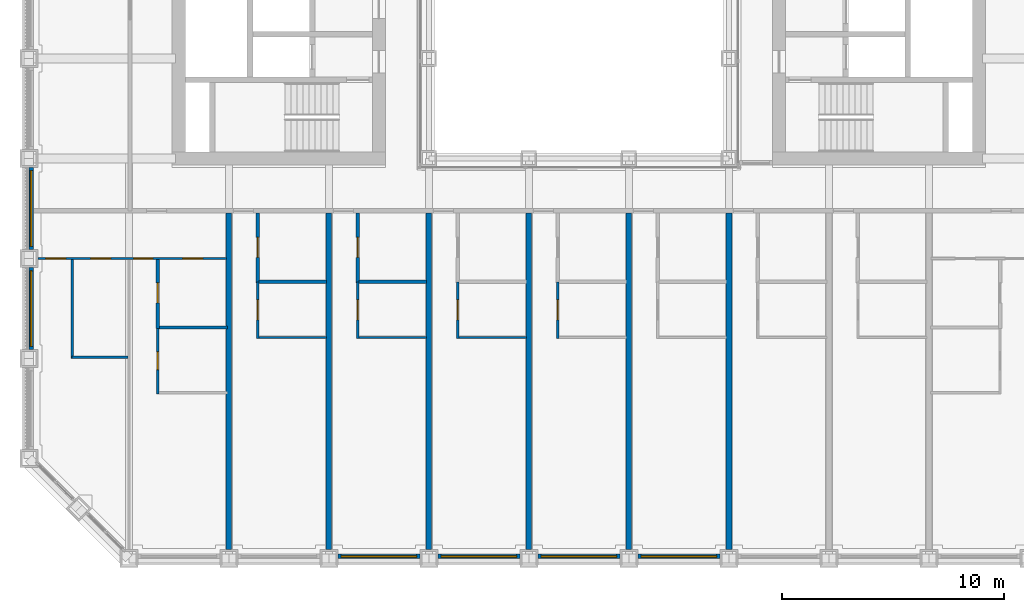
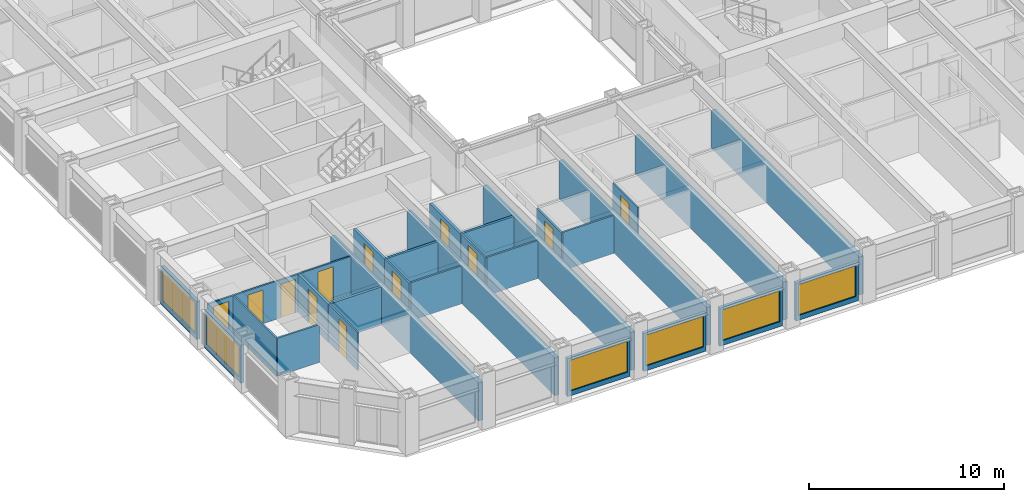
# One storey, part 9 of 21: 29 walls, 12 doors, 6 windows, 18 openings.
"""IFC4 building model written with IfcOpenShell, lengths in metres."""

from ifc_helpers import new_model, si_unit, direction, frame, frame_2d, origin, place, context, subcontext, project, spatial, rectangle, extrude, material, layer, layer_set, type_object, element, fill, save


model = new_model("IFC4")

# Units and contexts
model_context = context("Model", 3, precision=1e-05, world=origin(), true_north=direction((0.0, 1.0)))
body_context = subcontext(model_context, "Body", "Model", "MODEL_VIEW")
ifc_project = project(units=[si_unit("LENGTHUNIT", "METRE"), si_unit("AREAUNIT", "SQUARE_METRE"), si_unit("VOLUMEUNIT", "CUBIC_METRE"), si_unit("PLANEANGLEUNIT", "RADIAN"), si_unit("MASSUNIT", "GRAM", prefix="KILO")], contexts=[model_context])

# Site, building, storey
site_placement = place(None, origin())
site = spatial("IfcSite", under=ifc_project, at=site_placement, CompositionType="ELEMENT")
building_placement = place(site_placement, origin())
building = spatial("IfcBuilding", under=site, at=building_placement, Name="Msasa Ring Tower", CompositionType="ELEMENT")
storey_placement = place(building_placement, frame((0.0, 0.0, 30.0)))
storey = spatial("IfcBuildingStorey", under=building, at=storey_placement, Name="L06", CompositionType="ELEMENT", Elevation=30.0)

# Wall, opening, window
ifc_material_1 = material(Name="Terracotta rainscreen on blockwork", Category="masonry")
ifc_layer_1 = layer(ifc_material_1, 0.199951171875)
ifc_layer_set_1 = layer_set([ifc_layer_1], Name="FW1 TERRACOTTA-LINED INFILL BAY WALL 200")
wall_type_1 = type_object("IfcWallType", Name="FW1 TERRACOTTA-LINED INFILL BAY WALL 200", PredefinedType="SOLIDWALL", material=ifc_layer_set_1)
wall_1_placement = place(storey_placement, frame((-10.844970703125, -24.64990234375, 0.0), z_axis=(0.0, 0.0, 1.0), x_axis=(1.0, 0.0, 0.0)))
wall_1 = element("IfcWall", 1, at=wall_1_placement, inside=storey, type_object=wall_type_1, Name="Infill bay wall S L06 02", PredefinedType="SOLIDWALL", context=body_context, shape_type="SweptSolid", body=[
    extrude(rectangle(XDim=3.68994140625, YDim=0.199951171875, at=frame_2d((1.844970703125, 0.0))), origin(), (0.0, 0.0, 1.0), 2.37890625),
])
opening_1_placement = place(wall_1_placement, frame((0.14501953125, 0.0, 0.300048828125)))
opening_1 = element("IfcOpeningElement", 2, at=opening_1_placement, cuts=wall_1, Name="Opening WN1", PredefinedType="OPENING", context=body_context, shape_type="SweptSolid", body=[
    extrude(rectangle(XDim=3.39990234375, YDim=1.928955078125, at=frame_2d((1.699951171875, 0.96435546875))), frame((0.0, 0.10986328125, 0.0), z_axis=(0.0, -1.0, 0.0), x_axis=(1.0, 0.0, 0.0)), (0.0, 0.0, 1.0), 0.219970703125),
])
ifc_material_2 = material(Name="Aluminium frame with clear glass", Category="aluminium")
window_type = type_object("IfcWindowType", Name="WN1 RESIDENCE WINDOW 3400x1929", PartitioningType="SINGLE_PANEL", PredefinedType="WINDOW", material=ifc_material_2)
window_1_placement = place(opening_1_placement, origin())
window_1 = element("IfcWindow", 3, at=window_1_placement, inside=storey, type_object=window_type, Name="Window S L06 02", OverallHeight=1.928955078125, OverallWidth=3.39990234375, PartitioningType="SINGLE_PANEL", PredefinedType="WINDOW", context=body_context, shape_type="SweptSolid", body=[
    extrude(rectangle(XDim=3.39990234375, YDim=1.928955078125, at=frame_2d((1.699951171875, 0.96435546875))), frame((0.0, 0.030029296875, 0.0), z_axis=(0.0, -1.0, 0.0), x_axis=(1.0, 0.0, 0.0)), (0.0, 0.0, 1.0), 0.06005859375),
])
fill(opening_1, window_1)

wall_2_placement = place(storey_placement, frame((-6.344970703125, -24.64990234375, 0.0), z_axis=(0.0, 0.0, 1.0), x_axis=(1.0, 0.0, 0.0)))
wall_2 = element("IfcWall", 4, at=wall_2_placement, inside=storey, type_object=wall_type_1, Name="Infill bay wall S L06 03", PredefinedType="SOLIDWALL", context=body_context, shape_type="SweptSolid", body=[
    extrude(rectangle(XDim=3.68994140625, YDim=0.199951171875, at=frame_2d((1.844970703125, 0.0))), origin(), (0.0, 0.0, 1.0), 2.37890625),
])
opening_2_placement = place(wall_2_placement, frame((0.14501953125, 0.0, 0.300048828125)))
opening_2 = element("IfcOpeningElement", 5, at=opening_2_placement, cuts=wall_2, Name="Opening WN1", PredefinedType="OPENING", context=body_context, shape_type="SweptSolid", body=[
    extrude(rectangle(XDim=3.39990234375, YDim=1.928955078125, at=frame_2d((1.699951171875, 0.96435546875))), frame((0.0, 0.10986328125, 0.0), z_axis=(0.0, -1.0, 0.0), x_axis=(1.0, 0.0, 0.0)), (0.0, 0.0, 1.0), 0.219970703125),
])
window_2_placement = place(opening_2_placement, origin())
window_2 = element("IfcWindow", 6, at=window_2_placement, inside=storey, type_object=window_type, Name="Window S L06 03", OverallHeight=1.928955078125, OverallWidth=3.39990234375, PartitioningType="SINGLE_PANEL", PredefinedType="WINDOW", context=body_context, shape_type="SweptSolid", body=[
    extrude(rectangle(XDim=3.39990234375, YDim=1.928955078125, at=frame_2d((1.699951171875, 0.96435546875))), frame((0.0, 0.030029296875, 0.0), z_axis=(0.0, -1.0, 0.0), x_axis=(1.0, 0.0, 0.0)), (0.0, 0.0, 1.0), 0.06005859375),
])
fill(opening_2, window_2)

wall_3_placement = place(storey_placement, frame((-1.844970703125, -24.64990234375, 0.0), z_axis=(0.0, 0.0, 1.0), x_axis=(1.0, 0.0, 0.0)))
wall_3 = element("IfcWall", 7, at=wall_3_placement, inside=storey, type_object=wall_type_1, Name="Infill bay wall S L06 04", PredefinedType="SOLIDWALL", context=body_context, shape_type="SweptSolid", body=[
    extrude(rectangle(XDim=3.68994140625, YDim=0.199951171875, at=frame_2d((1.844970703125, 0.0))), origin(), (0.0, 0.0, 1.0), 2.37890625),
])
opening_3_placement = place(wall_3_placement, frame((0.14501953125, 0.0, 0.300048828125)))
opening_3 = element("IfcOpeningElement", 8, at=opening_3_placement, cuts=wall_3, Name="Opening WN1", PredefinedType="OPENING", context=body_context, shape_type="SweptSolid", body=[
    extrude(rectangle(XDim=3.39990234375, YDim=1.928955078125, at=frame_2d((1.699951171875, 0.96435546875))), frame((0.0, 0.10986328125, 0.0), z_axis=(0.0, -1.0, 0.0), x_axis=(1.0, 0.0, 0.0)), (0.0, 0.0, 1.0), 0.219970703125),
])
window_3_placement = place(opening_3_placement, origin())
window_3 = element("IfcWindow", 9, at=window_3_placement, inside=storey, type_object=window_type, Name="Window S L06 04", OverallHeight=1.928955078125, OverallWidth=3.39990234375, PartitioningType="SINGLE_PANEL", PredefinedType="WINDOW", context=body_context, shape_type="SweptSolid", body=[
    extrude(rectangle(XDim=3.39990234375, YDim=1.928955078125, at=frame_2d((1.699951171875, 0.96435546875))), frame((0.0, 0.030029296875, 0.0), z_axis=(0.0, -1.0, 0.0), x_axis=(1.0, 0.0, 0.0)), (0.0, 0.0, 1.0), 0.06005859375),
])
fill(opening_3, window_3)

wall_4_placement = place(storey_placement, frame((2.655029296875, -24.64990234375, 0.0), z_axis=(0.0, 0.0, 1.0), x_axis=(1.0, 0.0, 0.0)))
wall_4 = element("IfcWall", 10, at=wall_4_placement, inside=storey, type_object=wall_type_1, Name="Infill bay wall S L06 05", PredefinedType="SOLIDWALL", context=body_context, shape_type="SweptSolid", body=[
    extrude(rectangle(XDim=3.68994140625, YDim=0.199951171875, at=frame_2d((1.844970703125, 0.0))), origin(), (0.0, 0.0, 1.0), 2.37890625),
])
opening_4_placement = place(wall_4_placement, frame((0.14501953125, 0.0, 0.300048828125)))
opening_4 = element("IfcOpeningElement", 11, at=opening_4_placement, cuts=wall_4, Name="Opening WN1", PredefinedType="OPENING", context=body_context, shape_type="SweptSolid", body=[
    extrude(rectangle(XDim=3.39990234375, YDim=1.928955078125, at=frame_2d((1.699951171875, 0.96435546875))), frame((0.0, 0.10986328125, 0.0), z_axis=(0.0, -1.0, 0.0), x_axis=(1.0, 0.0, 0.0)), (0.0, 0.0, 1.0), 0.219970703125),
])
window_4_placement = place(opening_4_placement, origin())
window_4 = element("IfcWindow", 12, at=window_4_placement, inside=storey, type_object=window_type, Name="Window S L06 05", OverallHeight=1.928955078125, OverallWidth=3.39990234375, PartitioningType="SINGLE_PANEL", PredefinedType="WINDOW", context=body_context, shape_type="SweptSolid", body=[
    extrude(rectangle(XDim=3.39990234375, YDim=1.928955078125, at=frame_2d((1.699951171875, 0.96435546875))), frame((0.0, 0.030029296875, 0.0), z_axis=(0.0, -1.0, 0.0), x_axis=(1.0, 0.0, 0.0)), (0.0, 0.0, 1.0), 0.06005859375),
])
fill(opening_4, window_4)

wall_5_placement = place(storey_placement, frame((-24.64990234375, -15.344970703125, 0.0), z_axis=(0.0, 0.0, 1.0), x_axis=(0.0, 1.0, 0.0)))
wall_5 = element("IfcWall", 13, at=wall_5_placement, inside=storey, type_object=wall_type_1, Name="Infill bay wall W L06 34", PredefinedType="SOLIDWALL", context=body_context, shape_type="SweptSolid", body=[
    extrude(rectangle(XDim=3.68994140625, YDim=0.199951171875, at=frame_2d((1.844970703125, 0.0))), origin(), (0.0, 0.0, 1.0), 2.37890625),
])
opening_5_placement = place(wall_5_placement, frame((0.14501953125, 0.0, 0.300048828125)))
opening_5 = element("IfcOpeningElement", 14, at=opening_5_placement, cuts=wall_5, Name="Opening WN1", PredefinedType="OPENING", context=body_context, shape_type="SweptSolid", body=[
    extrude(rectangle(XDim=3.39990234375, YDim=1.928955078125, at=frame_2d((1.699951171875, 0.96435546875))), frame((0.0, 0.10986328125, 0.0), z_axis=(0.0, -1.0, 0.0), x_axis=(1.0, 0.0, 0.0)), (0.0, 0.0, 1.0), 0.219970703125),
])
window_5_placement = place(opening_5_placement, origin())
window_5 = element("IfcWindow", 15, at=window_5_placement, inside=storey, type_object=window_type, Name="Window W L06 34", OverallHeight=1.928955078125, OverallWidth=3.39990234375, PartitioningType="SINGLE_PANEL", PredefinedType="WINDOW", context=body_context, shape_type="SweptSolid", body=[
    extrude(rectangle(XDim=3.39990234375, YDim=1.928955078125, at=frame_2d((1.699951171875, 0.96435546875))), frame((0.0, 0.030029296875, 0.0), z_axis=(0.0, -1.0, 0.0), x_axis=(1.0, 0.0, 0.0)), (0.0, 0.0, 1.0), 0.06005859375),
])
fill(opening_5, window_5)

wall_6_placement = place(storey_placement, frame((-24.64990234375, -10.844970703125, 0.0), z_axis=(0.0, 0.0, 1.0), x_axis=(0.0, 1.0, 0.0)))
wall_6 = element("IfcWall", 16, at=wall_6_placement, inside=storey, type_object=wall_type_1, Name="Infill bay wall W L06 35", PredefinedType="SOLIDWALL", context=body_context, shape_type="SweptSolid", body=[
    extrude(rectangle(XDim=3.68994140625, YDim=0.199951171875, at=frame_2d((1.844970703125, 0.0))), origin(), (0.0, 0.0, 1.0), 2.37890625),
])
opening_6_placement = place(wall_6_placement, frame((0.14501953125, 0.0, 0.300048828125)))
opening_6 = element("IfcOpeningElement", 17, at=opening_6_placement, cuts=wall_6, Name="Opening WN1", PredefinedType="OPENING", context=body_context, shape_type="SweptSolid", body=[
    extrude(rectangle(XDim=3.39990234375, YDim=1.928955078125, at=frame_2d((1.699951171875, 0.96435546875))), frame((0.0, 0.10986328125, 0.0), z_axis=(0.0, -1.0, 0.0), x_axis=(1.0, 0.0, 0.0)), (0.0, 0.0, 1.0), 0.219970703125),
])
window_6_placement = place(opening_6_placement, origin())
window_6 = element("IfcWindow", 18, at=window_6_placement, inside=storey, type_object=window_type, Name="Window W L06 35", OverallHeight=1.928955078125, OverallWidth=3.39990234375, PartitioningType="SINGLE_PANEL", PredefinedType="WINDOW", context=body_context, shape_type="SweptSolid", body=[
    extrude(rectangle(XDim=3.39990234375, YDim=1.928955078125, at=frame_2d((1.699951171875, 0.96435546875))), frame((0.0, 0.030029296875, 0.0), z_axis=(0.0, -1.0, 0.0), x_axis=(1.0, 0.0, 0.0)), (0.0, 0.0, 1.0), 0.06005859375),
])
fill(opening_6, window_6)

# Wall, openings, doors
ifc_material_3 = material(Name="Gypsum board on steel studs", Category="steel")
ifc_layer_2 = layer(ifc_material_3, 0.10009765625)
ifc_layer_set_2 = layer_set([ifc_layer_2], Name="PT2 STUD PARTITION 100")
wall_type_2 = type_object("IfcWallType", Name="PT2 STUD PARTITION 100", PredefinedType="PARTITIONING", material=ifc_layer_set_2)
wall_7_placement = place(storey_placement, frame((-24.35009765625, -11.25, 0.0), z_axis=(0.0, 0.0, 1.0), x_axis=(1.0, 0.0, 0.0)))
wall_7 = element("IfcWall", 19, at=wall_7_placement, inside=storey, type_object=wall_type_2, Name="Partition L06-US00HY", PredefinedType="PARTITIONING", context=body_context, shape_type="SweptSolid", body=[
    extrude(rectangle(XDim=8.5, YDim=0.10009765625, at=frame_2d((4.25, 0.0))), origin(), (0.0, 0.0, 1.0), 2.373291015625),
])
opening_7_placement = place(wall_7_placement, frame((2.375, 0.0, 0.0)))
opening_7 = element("IfcOpeningElement", 20, at=opening_7_placement, cuts=wall_7, Name="Opening RA-068", PredefinedType="OPENING", context=body_context, shape_type="SweptSolid", body=[
    extrude(rectangle(XDim=0.89990234375, YDim=2.10009765625, at=frame_2d((0.449951171875, 1.050048828125))), frame((0.0, 0.06005859375, 0.0), z_axis=(0.0, -1.0, 0.0), x_axis=(1.0, 0.0, 0.0)), (0.0, 0.0, 1.0), 0.1201171875),
])
opening_8_placement = place(wall_7_placement, frame((0.35009765625, 0.0, 0.0)))
opening_8 = element("IfcOpeningElement", 21, at=opening_8_placement, cuts=wall_7, Name="Opening RA-067", PredefinedType="OPENING", context=body_context, shape_type="SweptSolid", body=[
    extrude(rectangle(XDim=0.89990234375, YDim=2.10009765625, at=frame_2d((0.449951171875, 1.050048828125))), frame((0.0, 0.06005859375, 0.0), z_axis=(0.0, -1.0, 0.0), x_axis=(1.0, 0.0, 0.0)), (0.0, 0.0, 1.0), 0.1201171875),
])
opening_9_placement = place(wall_7_placement, frame((4.324951171875, 0.0, 0.0)))
opening_9 = element("IfcOpeningElement", 22, at=opening_9_placement, cuts=wall_7, Name="Opening RA-069", PredefinedType="OPENING", context=body_context, shape_type="SweptSolid", body=[
    extrude(rectangle(XDim=0.85009765625, YDim=2.10009765625, at=frame_2d((0.425048828125, 1.050048828125))), frame((0.0, 0.06005859375, 0.0), z_axis=(0.0, -1.0, 0.0), x_axis=(1.0, 0.0, 0.0)), (0.0, 0.0, 1.0), 0.1201171875),
])
opening_10_placement = place(wall_7_placement, frame((6.52001953125, 0.0, 0.0)))
opening_10 = element("IfcOpeningElement", 23, at=opening_10_placement, cuts=wall_7, Name="Opening RA-070", PredefinedType="OPENING", context=body_context, shape_type="SweptSolid", body=[
    extrude(rectangle(XDim=0.89990234375, YDim=2.10009765625, at=frame_2d((0.449951171875, 1.050048828125))), frame((0.0, 0.06005859375, 0.0), z_axis=(0.0, -1.0, 0.0), x_axis=(1.0, 0.0, 0.0)), (0.0, 0.0, 1.0), 0.1201171875),
])
ifc_material_4 = material(Name="Timber door leaf in a steel frame", Category="steel")
door_type_1 = type_object("IfcDoorType", Name="D14 BEDROOM DOOR 850x2100", OperationType="SINGLE_SWING_LEFT", PredefinedType="DOOR", material=ifc_material_4)
door_1_placement = place(opening_9_placement, origin())
door_1 = element("IfcDoor", 24, at=door_1_placement, inside=storey, type_object=door_type_1, Name="Door L06-US00R1", OperationType="SINGLE_SWING_RIGHT", OverallHeight=2.10009765625, OverallWidth=0.85009765625, PredefinedType="DOOR", context=body_context, shape_type="SweptSolid", body=[
    extrude(rectangle(XDim=0.85009765625, YDim=2.10009765625, at=frame_2d((0.425048828125, 1.050048828125))), frame((0.0, 0.02490234375, 0.0), z_axis=(0.0, -1.0, 0.0), x_axis=(1.0, 0.0, 0.0)), (0.0, 0.0, 1.0), 0.050048828125),
])
fill(opening_9, door_1)
ifc_material_5 = material(Name="Timber door leaf in a steel frame", Category="steel")
door_type_2 = type_object("IfcDoorType", Name="D22 INTERNAL HALL DOOR 900x2100", OperationType="SINGLE_SWING_LEFT", PredefinedType="DOOR", material=ifc_material_5)
door_2_placement = place(opening_7_placement, origin())
door_2 = element("IfcDoor", 25, at=door_2_placement, inside=storey, type_object=door_type_2, Name="Door L06-US00K", OperationType="SINGLE_SWING_LEFT", OverallHeight=2.10009765625, OverallWidth=0.89990234375, PredefinedType="DOOR", context=body_context, shape_type="SweptSolid", body=[
    extrude(rectangle(XDim=0.89990234375, YDim=2.10009765625, at=frame_2d((0.449951171875, 1.050048828125))), frame((0.0, 0.02490234375, 0.0), z_axis=(0.0, -1.0, 0.0), x_axis=(1.0, 0.0, 0.0)), (0.0, 0.0, 1.0), 0.050048828125),
])
fill(opening_7, door_2)
door_3_placement = place(opening_8_placement, origin())
door_3 = element("IfcDoor", 26, at=door_3_placement, inside=storey, type_object=door_type_2, Name="Door L06-US00L", OperationType="SINGLE_SWING_LEFT", OverallHeight=2.10009765625, OverallWidth=0.89990234375, PredefinedType="DOOR", context=body_context, shape_type="SweptSolid", body=[
    extrude(rectangle(XDim=0.89990234375, YDim=2.10009765625, at=frame_2d((0.449951171875, 1.050048828125))), frame((0.0, 0.02490234375, 0.0), z_axis=(0.0, -1.0, 0.0), x_axis=(1.0, 0.0, 0.0)), (0.0, 0.0, 1.0), 0.050048828125),
])
fill(opening_8, door_3)
ifc_material_6 = material(Name="Timber door leaf in a steel frame", Category="steel")
door_type_3 = type_object("IfcDoorType", Name="D3 BATHROOM DOOR 900x2100", OperationType="SINGLE_SWING_LEFT", PredefinedType="DOOR", material=ifc_material_6)
door_4_placement = place(opening_10_placement, origin())
door_4 = element("IfcDoor", 27, at=door_4_placement, inside=storey, type_object=door_type_3, Name="Door L06-US00BH1", OperationType="SINGLE_SWING_RIGHT", OverallHeight=2.10009765625, OverallWidth=0.89990234375, PredefinedType="DOOR", context=body_context, shape_type="SweptSolid", body=[
    extrude(rectangle(XDim=0.89990234375, YDim=2.10009765625, at=frame_2d((0.449951171875, 1.050048828125))), frame((0.0, 0.02490234375, 0.0), z_axis=(0.0, -1.0, 0.0), x_axis=(1.0, 0.0, 0.0)), (0.0, 0.0, 1.0), 0.050048828125),
])
fill(opening_10, door_4)

# Walls
wall_8_placement = place(storey_placement, frame((-22.800048828125, -15.7421875, 0.0), z_axis=(0.0, 0.0, 1.0), x_axis=(0.0, 1.0, 0.0)))
element("IfcWall", 28, at=wall_8_placement, inside=storey, type_object=wall_type_2, Name="Partition L06-US00KX", PredefinedType="PARTITIONING", context=body_context, shape_type="SweptSolid", body=[
    extrude(rectangle(XDim=4.442138671875, YDim=0.10009765625, at=frame_2d((2.22119140625, 0.0))), origin(), (0.0, 0.0, 1.0), 2.373291015625),
])
wall_9_placement = place(storey_placement, frame((-22.800048828125, -15.692138671875, 0.0), z_axis=(0.0, 0.0, 1.0), x_axis=(1.0, 0.0, 0.0)))
element("IfcWall", 29, at=wall_9_placement, inside=storey, type_object=wall_type_2, Name="Partition L06-US00KY", PredefinedType="PARTITIONING", context=body_context, shape_type="SweptSolid", body=[
    extrude(rectangle(XDim=2.5, YDim=0.10009765625, at=frame_2d((1.25, 0.0))), origin(), (0.0, 0.0, 1.0), 2.373291015625),
])

# Wall, opening, door
wall_10_placement = place(storey_placement, frame((-18.949951171875, -17.3408203125, 0.0), z_axis=(0.0, 0.0, 1.0), x_axis=(0.0, 1.0, 0.0)))
wall_10 = element("IfcWall", 30, at=wall_10_placement, inside=storey, type_object=wall_type_2, Name="Partition L06-US00WX1", PredefinedType="PARTITIONING", context=body_context, shape_type="SweptSolid", body=[
    extrude(rectangle(XDim=2.94091796875, YDim=0.10009765625, at=frame_2d((1.470458984375, 0.0))), origin(), (0.0, 0.0, 1.0), 2.373291015625),
])
opening_11_placement = place(wall_10_placement, frame((1.095458984375, 0.0, 0.0)))
opening_11 = element("IfcOpeningElement", 31, at=opening_11_placement, cuts=wall_10, Name="Opening RA-084", PredefinedType="OPENING", context=body_context, shape_type="SweptSolid", body=[
    extrude(rectangle(XDim=0.800048828125, YDim=2.10009765625, at=frame_2d((0.39990234375, 1.050048828125))), frame((0.0, 0.06005859375, 0.0), z_axis=(0.0, -1.0, 0.0), x_axis=(1.0, 0.0, 0.0)), (0.0, 0.0, 1.0), 0.1201171875),
])
ifc_material_7 = material(Name="Timber door leaf in a steel frame", Category="steel")
door_type_4 = type_object("IfcDoorType", Name="D60 DRESSING ROOM DOOR 800x2100", OperationType="SINGLE_SWING_LEFT", PredefinedType="DOOR", material=ifc_material_7)
door_5_placement = place(opening_11_placement, origin())
door_5 = element("IfcDoor", 32, at=door_5_placement, inside=storey, type_object=door_type_4, Name="Door L06-US00W1", OperationType="SINGLE_SWING_LEFT", OverallHeight=2.10009765625, OverallWidth=0.800048828125, PredefinedType="DOOR", context=body_context, shape_type="SweptSolid", body=[
    extrude(rectangle(XDim=0.800048828125, YDim=2.10009765625, at=frame_2d((0.39990234375, 1.050048828125))), frame((0.0, 0.02490234375, 0.0), z_axis=(0.0, -1.0, 0.0), x_axis=(1.0, 0.0, 0.0)), (0.0, 0.0, 1.0), 0.050048828125),
])
fill(opening_11, door_5)

# Wall
wall_11_placement = place(storey_placement, frame((-14.39990234375, -14.800048828125, 0.0), z_axis=(0.0, 0.0, 1.0), x_axis=(1.0, 0.0, 0.0)))
element("IfcWall", 33, at=wall_11_placement, inside=storey, type_object=wall_type_2, Name="Partition L06-US01KY", PredefinedType="PARTITIONING", context=body_context, shape_type="SweptSolid", body=[
    extrude(rectangle(XDim=3.0498046875, YDim=0.10009765625, at=frame_2d((1.52490234375, 0.0))), origin(), (0.0, 0.0, 1.0), 2.373291015625),
])

# Wall, opening, door
wall_12_placement = place(storey_placement, frame((-14.449951171875, -14.85009765625, 0.0), z_axis=(0.0, 0.0, 1.0), x_axis=(0.0, 1.0, 0.0)))
wall_12 = element("IfcWall", 34, at=wall_12_placement, inside=storey, type_object=wall_type_2, Name="Partition L06-US01KX", PredefinedType="PARTITIONING", context=body_context, shape_type="SweptSolid", body=[
    extrude(rectangle(XDim=2.550048828125, YDim=0.10009765625, at=frame_2d((1.27490234375, 0.0))), origin(), (0.0, 0.0, 1.0), 2.373291015625),
])
opening_12_placement = place(wall_12_placement, frame((0.840087890625, 0.0, 0.0)))
opening_12 = element("IfcOpeningElement", 35, at=opening_12_placement, cuts=wall_12, Name="Opening RA-077", PredefinedType="OPENING", context=body_context, shape_type="SweptSolid", body=[
    extrude(rectangle(XDim=0.89990234375, YDim=2.10009765625, at=frame_2d((0.449951171875, 1.050048828125))), frame((0.0, 0.06005859375, 0.0), z_axis=(0.0, -1.0, 0.0), x_axis=(1.0, 0.0, 0.0)), (0.0, 0.0, 1.0), 0.1201171875),
])
door_6_placement = place(opening_12_placement, origin())
door_6 = element("IfcDoor", 36, at=door_6_placement, inside=storey, type_object=door_type_2, Name="Door L06-US01K", OperationType="SINGLE_SWING_LEFT", OverallHeight=2.10009765625, OverallWidth=0.89990234375, PredefinedType="DOOR", context=body_context, shape_type="SweptSolid", body=[
    extrude(rectangle(XDim=0.89990234375, YDim=2.10009765625, at=frame_2d((0.449951171875, 1.050048828125))), frame((0.0, 0.02490234375, 0.0), z_axis=(0.0, -1.0, 0.0), x_axis=(1.0, 0.0, 0.0)), (0.0, 0.0, 1.0), 0.050048828125),
])
fill(opening_12, door_6)

# Wall
wall_13_placement = place(storey_placement, frame((-9.89990234375, -14.800048828125, 0.0), z_axis=(0.0, 0.0, 1.0), x_axis=(1.0, 0.0, 0.0)))
element("IfcWall", 37, at=wall_13_placement, inside=storey, type_object=wall_type_2, Name="Partition L06-US02KY", PredefinedType="PARTITIONING", context=body_context, shape_type="SweptSolid", body=[
    extrude(rectangle(XDim=3.0498046875, YDim=0.10009765625, at=frame_2d((1.52490234375, 0.0))), origin(), (0.0, 0.0, 1.0), 2.373291015625),
])

# Wall, opening, door
wall_14_placement = place(storey_placement, frame((-9.949951171875, -14.85009765625, 0.0), z_axis=(0.0, 0.0, 1.0), x_axis=(0.0, 1.0, 0.0)))
wall_14 = element("IfcWall", 38, at=wall_14_placement, inside=storey, type_object=wall_type_2, Name="Partition L06-US02KX", PredefinedType="PARTITIONING", context=body_context, shape_type="SweptSolid", body=[
    extrude(rectangle(XDim=2.550048828125, YDim=0.10009765625, at=frame_2d((1.27490234375, 0.0))), origin(), (0.0, 0.0, 1.0), 2.373291015625),
])
opening_13_placement = place(wall_14_placement, frame((0.840087890625, 0.0, 0.0)))
opening_13 = element("IfcOpeningElement", 39, at=opening_13_placement, cuts=wall_14, Name="Opening RA-078", PredefinedType="OPENING", context=body_context, shape_type="SweptSolid", body=[
    extrude(rectangle(XDim=0.89990234375, YDim=2.10009765625, at=frame_2d((0.449951171875, 1.050048828125))), frame((0.0, 0.06005859375, 0.0), z_axis=(0.0, -1.0, 0.0), x_axis=(1.0, 0.0, 0.0)), (0.0, 0.0, 1.0), 0.1201171875),
])
door_7_placement = place(opening_13_placement, origin())
door_7 = element("IfcDoor", 40, at=door_7_placement, inside=storey, type_object=door_type_2, Name="Door L06-US02K", OperationType="SINGLE_SWING_LEFT", OverallHeight=2.10009765625, OverallWidth=0.89990234375, PredefinedType="DOOR", context=body_context, shape_type="SweptSolid", body=[
    extrude(rectangle(XDim=0.89990234375, YDim=2.10009765625, at=frame_2d((0.449951171875, 1.050048828125))), frame((0.0, 0.02490234375, 0.0), z_axis=(0.0, -1.0, 0.0), x_axis=(1.0, 0.0, 0.0)), (0.0, 0.0, 1.0), 0.050048828125),
])
fill(opening_13, door_7)

# Wall
wall_15_placement = place(storey_placement, frame((-5.39990234375, -14.800048828125, 0.0), z_axis=(0.0, 0.0, 1.0), x_axis=(1.0, 0.0, 0.0)))
element("IfcWall", 41, at=wall_15_placement, inside=storey, type_object=wall_type_2, Name="Partition L06-US03KY", PredefinedType="PARTITIONING", context=body_context, shape_type="SweptSolid", body=[
    extrude(rectangle(XDim=3.0498046875, YDim=0.10009765625, at=frame_2d((1.52490234375, 0.0))), origin(), (0.0, 0.0, 1.0), 2.373291015625),
])

# Wall, opening, door
wall_16_placement = place(storey_placement, frame((-5.449951171875, -14.85009765625, 0.0), z_axis=(0.0, 0.0, 1.0), x_axis=(0.0, 1.0, 0.0)))
wall_16 = element("IfcWall", 42, at=wall_16_placement, inside=storey, type_object=wall_type_2, Name="Partition L06-US03KX", PredefinedType="PARTITIONING", context=body_context, shape_type="SweptSolid", body=[
    extrude(rectangle(XDim=2.550048828125, YDim=0.10009765625, at=frame_2d((1.27490234375, 0.0))), origin(), (0.0, 0.0, 1.0), 2.373291015625),
])
opening_14_placement = place(wall_16_placement, frame((0.840087890625, 0.0, 0.0)))
opening_14 = element("IfcOpeningElement", 43, at=opening_14_placement, cuts=wall_16, Name="Opening RA-079", PredefinedType="OPENING", context=body_context, shape_type="SweptSolid", body=[
    extrude(rectangle(XDim=0.89990234375, YDim=2.10009765625, at=frame_2d((0.449951171875, 1.050048828125))), frame((0.0, 0.06005859375, 0.0), z_axis=(0.0, -1.0, 0.0), x_axis=(1.0, 0.0, 0.0)), (0.0, 0.0, 1.0), 0.1201171875),
])
door_8_placement = place(opening_14_placement, origin())
door_8 = element("IfcDoor", 44, at=door_8_placement, inside=storey, type_object=door_type_2, Name="Door L06-US03K", OperationType="SINGLE_SWING_LEFT", OverallHeight=2.10009765625, OverallWidth=0.89990234375, PredefinedType="DOOR", context=body_context, shape_type="SweptSolid", body=[
    extrude(rectangle(XDim=0.89990234375, YDim=2.10009765625, at=frame_2d((0.449951171875, 1.050048828125))), frame((0.0, 0.02490234375, 0.0), z_axis=(0.0, -1.0, 0.0), x_axis=(1.0, 0.0, 0.0)), (0.0, 0.0, 1.0), 0.050048828125),
])
fill(opening_14, door_8)

wall_17_placement = place(storey_placement, frame((-0.949951171875, -14.85009765625, 0.0), z_axis=(0.0, 0.0, 1.0), x_axis=(0.0, 1.0, 0.0)))
wall_17 = element("IfcWall", 45, at=wall_17_placement, inside=storey, type_object=wall_type_2, Name="Partition L06-US04KX", PredefinedType="PARTITIONING", context=body_context, shape_type="SweptSolid", body=[
    extrude(rectangle(XDim=2.550048828125, YDim=0.10009765625, at=frame_2d((1.27490234375, 0.0))), origin(), (0.0, 0.0, 1.0), 2.373291015625),
])
opening_15_placement = place(wall_17_placement, frame((0.840087890625, 0.0, 0.0)))
opening_15 = element("IfcOpeningElement", 46, at=opening_15_placement, cuts=wall_17, Name="Opening RA-080", PredefinedType="OPENING", context=body_context, shape_type="SweptSolid", body=[
    extrude(rectangle(XDim=0.89990234375, YDim=2.10009765625, at=frame_2d((0.449951171875, 1.050048828125))), frame((0.0, 0.06005859375, 0.0), z_axis=(0.0, -1.0, 0.0), x_axis=(1.0, 0.0, 0.0)), (0.0, 0.0, 1.0), 0.1201171875),
])
door_9_placement = place(opening_15_placement, origin())
door_9 = element("IfcDoor", 47, at=door_9_placement, inside=storey, type_object=door_type_2, Name="Door L06-US04K", OperationType="SINGLE_SWING_LEFT", OverallHeight=2.10009765625, OverallWidth=0.89990234375, PredefinedType="DOOR", context=body_context, shape_type="SweptSolid", body=[
    extrude(rectangle(XDim=0.89990234375, YDim=2.10009765625, at=frame_2d((0.449951171875, 1.050048828125))), frame((0.0, 0.02490234375, 0.0), z_axis=(0.0, -1.0, 0.0), x_axis=(1.0, 0.0, 0.0)), (0.0, 0.0, 1.0), 0.050048828125),
])
fill(opening_15, door_9)

# Walls
ifc_material_8 = material(Name="Dense concrete blockwork, plastered both faces", Category="masonry")
ifc_layer_3 = layer(ifc_material_8, 0.25)
ifc_layer_set_3 = layer_set([ifc_layer_3], Name="PT3 APARTMENT SEPARATING WALL 250")
wall_type_3 = type_object("IfcWallType", Name="PT3 APARTMENT SEPARATING WALL 250", PredefinedType="PARTITIONING", material=ifc_layer_set_3)
for number, where, z_axis, x_axis, name in (
    (48, (-15.75, -24.35009765625, 0.0), (0.0, 0.0, 1.0), (0.0, 1.0, 0.0), "Party wall L06-PWS-15.75"),
    (49, (-11.25, -24.35009765625, 0.0), (0.0, 0.0, 1.0), (0.0, 1.0, 0.0), "Party wall L06-PWS-11.25"),
    (50, (-6.75, -24.35009765625, 0.0), (0.0, 0.0, 1.0), (0.0, 1.0, 0.0), "Party wall L06-PWS-6.75"),
    (51, (-2.25, -24.35009765625, 0.0), (0.0, 0.0, 1.0), (0.0, 1.0, 0.0), "Party wall L06-PWS-2.25"),
    (52, (2.25, -24.35009765625, 0.0), (0.0, 0.0, 1.0), (0.0, 1.0, 0.0), "Party wall L06-PWS+2.25"),
    (53, (6.75, -24.35009765625, 0.0), (0.0, 0.0, 1.0), (0.0, 1.0, 0.0), "Party wall L06-PWS+6.75"),
):
    element("IfcWall", number, at=place(storey_placement, frame(where, z_axis=z_axis, x_axis=x_axis)), inside=storey, type_object=wall_type_3, Name=name, PredefinedType="PARTITIONING", context=body_context, shape_type="SweptSolid", body=[
        extrude(rectangle(XDim=15.150146484375, YDim=0.25, at=frame_2d((7.5751953125, 0.0))), origin(), (0.0, 0.0, 1.0), 2.373291015625),
    ])

# Wall, opening, door
ifc_material_9 = material(Name="Moisture-resistant board on steel studs with a concealed cistern and pipe void, tiled", Category="steel")
ifc_layer_4 = layer(ifc_material_9, 0.14990234375)
ifc_layer_set_4 = layer_set([ifc_layer_4], Name="PT4 BATHROOM WET WALL 150")
wall_type_4 = type_object("IfcWallType", Name="PT4 BATHROOM WET WALL 150", PredefinedType="PARTITIONING", material=ifc_layer_set_4)
wall_18_placement = place(storey_placement, frame((-18.949951171875, -14.39990234375, 0.0), z_axis=(0.0, 0.0, 1.0), x_axis=(0.0, 1.0, 0.0)))
wall_18 = element("IfcWall", 54, at=wall_18_placement, inside=storey, type_object=wall_type_4, Name="Partition L06-US00BX1", PredefinedType="PARTITIONING", context=body_context, shape_type="SweptSolid", body=[
    extrude(rectangle(XDim=3.099853515625, YDim=0.14990234375, at=frame_2d((1.5498046875, 0.0))), origin(), (0.0, 0.0, 1.0), 2.373291015625),
])
opening_16_placement = place(wall_18_placement, frame((1.14990234375, 0.0, 0.0)))
opening_16 = element("IfcOpeningElement", 55, at=opening_16_placement, cuts=wall_18, Name="Opening RA-075", PredefinedType="OPENING", context=body_context, shape_type="SweptSolid", body=[
    extrude(rectangle(XDim=0.89990234375, YDim=2.10009765625, at=frame_2d((0.449951171875, 1.050048828125))), frame((0.0, 0.0849609375, 0.0), z_axis=(0.0, -1.0, 0.0), x_axis=(1.0, 0.0, 0.0)), (0.0, 0.0, 1.0), 0.169921875),
])
door_10_placement = place(opening_16_placement, origin())
door_10 = element("IfcDoor", 56, at=door_10_placement, inside=storey, type_object=door_type_3, Name="Door L06-US00B1", OperationType="SINGLE_SWING_RIGHT", OverallHeight=2.10009765625, OverallWidth=0.89990234375, PredefinedType="DOOR", context=body_context, shape_type="SweptSolid", body=[
    extrude(rectangle(XDim=0.89990234375, YDim=2.10009765625, at=frame_2d((0.449951171875, 1.050048828125))), frame((0.0, 0.02490234375, 0.0), z_axis=(0.0, -1.0, 0.0), x_axis=(1.0, 0.0, 0.0)), (0.0, 0.0, 1.0), 0.050048828125),
])
fill(opening_16, door_10)

# Wall
wall_19_placement = place(storey_placement, frame((-18.949951171875, -14.35009765625, 0.0), z_axis=(0.0, 0.0, 1.0), x_axis=(1.0, 0.0, 0.0)))
element("IfcWall", 57, at=wall_19_placement, inside=storey, type_object=wall_type_4, Name="Partition L06-US00BY1", PredefinedType="PARTITIONING", context=body_context, shape_type="SweptSolid", body=[
    extrude(rectangle(XDim=3.139892578125, YDim=0.14990234375, at=frame_2d((1.56982421875, 0.0))), origin(), (0.0, 0.0, 1.0), 2.373291015625),
])

# Wall, opening, door
wall_20_placement = place(storey_placement, frame((-14.449951171875, -12.35009765625, 0.0), z_axis=(0.0, 0.0, 1.0), x_axis=(0.0, 1.0, 0.0)))
wall_20 = element("IfcWall", 58, at=wall_20_placement, inside=storey, type_object=wall_type_4, Name="Partition L06-US01BX", PredefinedType="PARTITIONING", context=body_context, shape_type="SweptSolid", body=[
    extrude(rectangle(XDim=3.150146484375, YDim=0.14990234375, at=frame_2d((1.5751953125, 0.0))), origin(), (0.0, 0.0, 1.0), 2.373291015625),
])
opening_17_placement = place(wall_20_placement, frame((1.14990234375, 0.0, 0.0)))
opening_17 = element("IfcOpeningElement", 59, at=opening_17_placement, cuts=wall_20, Name="Opening RA-060", PredefinedType="OPENING", context=body_context, shape_type="SweptSolid", body=[
    extrude(rectangle(XDim=0.89990234375, YDim=2.10009765625, at=frame_2d((0.449951171875, 1.050048828125))), frame((0.0, 0.0849609375, 0.0), z_axis=(0.0, -1.0, 0.0), x_axis=(1.0, 0.0, 0.0)), (0.0, 0.0, 1.0), 0.169921875),
])
door_11_placement = place(opening_17_placement, origin())
door_11 = element("IfcDoor", 60, at=door_11_placement, inside=storey, type_object=door_type_3, Name="Door L06-US01B", OperationType="SINGLE_SWING_LEFT", OverallHeight=2.10009765625, OverallWidth=0.89990234375, PredefinedType="DOOR", context=body_context, shape_type="SweptSolid", body=[
    extrude(rectangle(XDim=0.89990234375, YDim=2.10009765625, at=frame_2d((0.449951171875, 1.050048828125))), frame((0.0, 0.02490234375, 0.0), z_axis=(0.0, -1.0, 0.0), x_axis=(1.0, 0.0, 0.0)), (0.0, 0.0, 1.0), 0.050048828125),
])
fill(opening_17, door_11)

# Wall
wall_21_placement = place(storey_placement, frame((-14.39990234375, -12.300048828125, 0.0), z_axis=(0.0, 0.0, 1.0), x_axis=(1.0, 0.0, 0.0)))
element("IfcWall", 61, at=wall_21_placement, inside=storey, type_object=wall_type_4, Name="Partition L06-US01BY", PredefinedType="PARTITIONING", context=body_context, shape_type="SweptSolid", body=[
    extrude(rectangle(XDim=3.0498046875, YDim=0.14990234375, at=frame_2d((1.52490234375, 0.0))), origin(), (0.0, 0.0, 1.0), 2.373291015625),
])

# Wall, opening, door
wall_22_placement = place(storey_placement, frame((-9.949951171875, -12.35009765625, 0.0), z_axis=(0.0, 0.0, 1.0), x_axis=(0.0, 1.0, 0.0)))
wall_22 = element("IfcWall", 62, at=wall_22_placement, inside=storey, type_object=wall_type_4, Name="Partition L06-US02BX", PredefinedType="PARTITIONING", context=body_context, shape_type="SweptSolid", body=[
    extrude(rectangle(XDim=3.150146484375, YDim=0.14990234375, at=frame_2d((1.5751953125, 0.0))), origin(), (0.0, 0.0, 1.0), 2.373291015625),
])
opening_18_placement = place(wall_22_placement, frame((1.14990234375, 0.0, 0.0)))
opening_18 = element("IfcOpeningElement", 63, at=opening_18_placement, cuts=wall_22, Name="Opening RA-061", PredefinedType="OPENING", context=body_context, shape_type="SweptSolid", body=[
    extrude(rectangle(XDim=0.89990234375, YDim=2.10009765625, at=frame_2d((0.449951171875, 1.050048828125))), frame((0.0, 0.0849609375, 0.0), z_axis=(0.0, -1.0, 0.0), x_axis=(1.0, 0.0, 0.0)), (0.0, 0.0, 1.0), 0.169921875),
])
door_12_placement = place(opening_18_placement, origin())
door_12 = element("IfcDoor", 64, at=door_12_placement, inside=storey, type_object=door_type_3, Name="Door L06-US02B", OperationType="SINGLE_SWING_LEFT", OverallHeight=2.10009765625, OverallWidth=0.89990234375, PredefinedType="DOOR", context=body_context, shape_type="SweptSolid", body=[
    extrude(rectangle(XDim=0.89990234375, YDim=2.10009765625, at=frame_2d((0.449951171875, 1.050048828125))), frame((0.0, 0.02490234375, 0.0), z_axis=(0.0, -1.0, 0.0), x_axis=(1.0, 0.0, 0.0)), (0.0, 0.0, 1.0), 0.050048828125),
])
fill(opening_18, door_12)

# Wall
wall_23_placement = place(storey_placement, frame((-9.89990234375, -12.300048828125, 0.0), z_axis=(0.0, 0.0, 1.0), x_axis=(1.0, 0.0, 0.0)))
element("IfcWall", 65, at=wall_23_placement, inside=storey, type_object=wall_type_4, Name="Partition L06-US02BY", PredefinedType="PARTITIONING", context=body_context, shape_type="SweptSolid", body=[
    extrude(rectangle(XDim=3.0498046875, YDim=0.14990234375, at=frame_2d((1.52490234375, 0.0))), origin(), (0.0, 0.0, 1.0), 2.373291015625),
])

save(model, "model.ifc")
